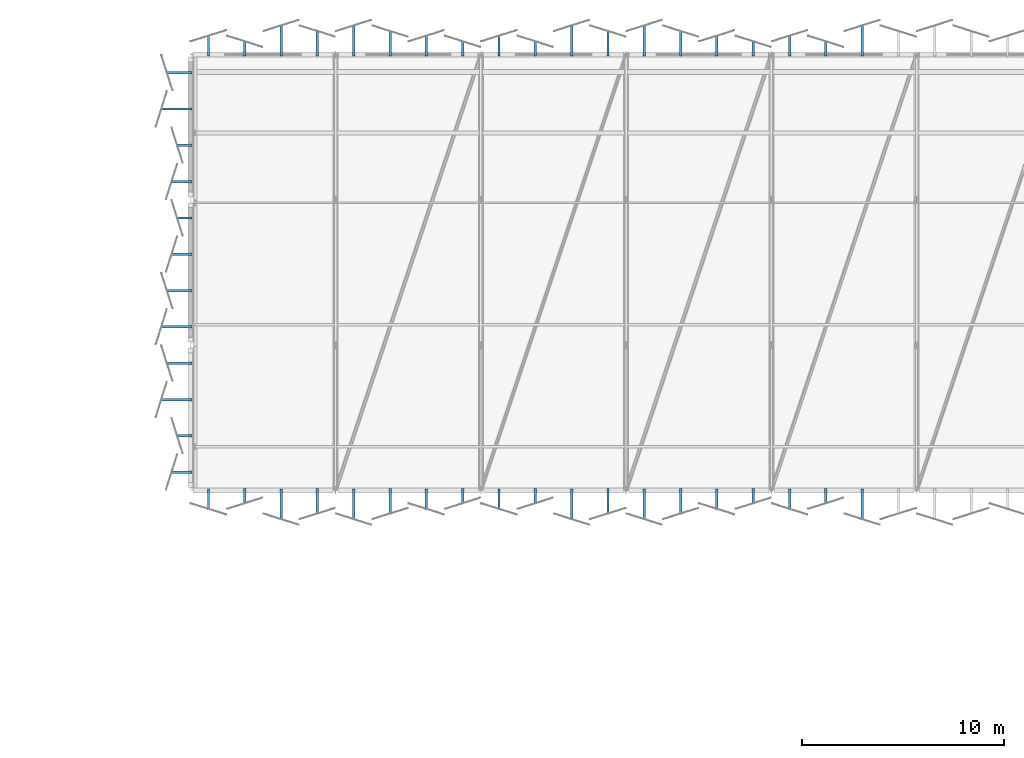
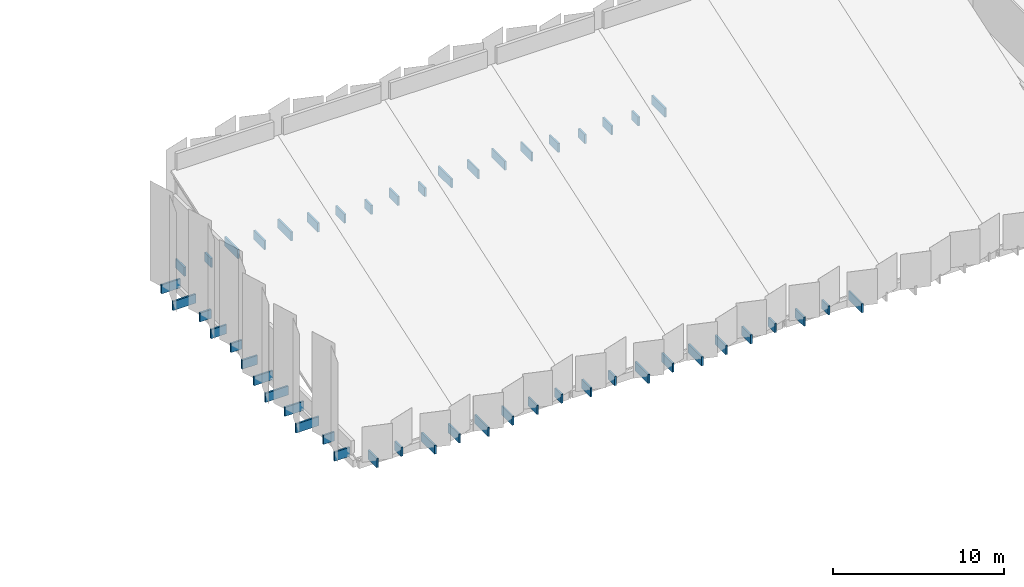
# One storey, part 50 of 59: 50 discrete accessories.
"""IFC4 building model written with IfcOpenShell, lengths in metres."""

import ifcopenshell
import ifcopenshell.guid

model = None  # the IFC model being written
_history = None  # IfcOwnerHistory: only IFC2X3 demands one
_inside = {}  # id of a spatial element -> (the spatial element, [elements in it])
_under = {}  # id of a project, library or spatial element -> (it, [spatial elements below it])
_declared = {}  # id of a project -> (the project, [libraries it declares])
_typed = {}  # id of a type object -> (the type object, [elements of that type])
_made_of = {}  # id of a material, layer set ... -> (it, [elements and type objects made of it])


def new_model(schema):
    """Start an empty IFC model of exactly this schema.

    Asked for "IFC4X3", IfcOpenShell would pick the latest addendum, in which some entities
    have other attributes; the version numbers below select the first issue.
    IFC2X3 requires an IfcOwnerHistory on every rooted entity: one is made here for all.
    """
    global model, _history
    if schema == "IFC4X3":
        model = ifcopenshell.file(schema_version=(4, 3, 0, 0))
    else:
        model = ifcopenshell.file(schema=schema)
    _inside.clear()
    _under.clear()
    _declared.clear()
    _typed.clear()
    _made_of.clear()
    _history = None
    if model.schema == "IFC2X3":
        org = make("IfcOrganization", Name="unknown")
        user = make(
            "IfcPersonAndOrganization",
            ThePerson=make("IfcPerson", FamilyName="unknown"),
            TheOrganization=org,
        )
        app = make(
            "IfcApplication",
            ApplicationDeveloper=org,
            Version="unknown",
            ApplicationFullName="unknown",
            ApplicationIdentifier="unknown",
        )
        _history = make(
            "IfcOwnerHistory",
            OwningUser=user,
            OwningApplication=app,
            ChangeAction="ADDED",
            CreationDate=0,
        )
    return model


def make(cls, **values):
    """One entity of the class cls with the attributes given. An attribute that is None is left unset."""
    return model.create_entity(
        cls, **{name: value for name, value in values.items() if value is not None}
    )


def rooted(cls, **values):
    """An entity with a GlobalId (a new one), such as an element, a storey or a relation."""
    return make(cls, GlobalId=ifcopenshell.guid.new(), OwnerHistory=_history, **values)


def si_unit(unit_type, name, prefix=None):
    """IfcSIUnit, for example si_unit("LENGTHUNIT", "METRE", prefix="MILLI")."""
    return make("IfcSIUnit", UnitType=unit_type, Prefix=prefix, Name=name)


def assignment(units):
    """IfcUnitAssignment: the units of a project."""
    return None if units is None else make("IfcUnitAssignment", Units=units)


def point(xyz):
    """IfcCartesianPoint."""
    return None if xyz is None else make("IfcCartesianPoint", Coordinates=xyz)


def direction(xyz):
    """IfcDirection."""
    return None if xyz is None else make("IfcDirection", DirectionRatios=xyz)


def frame(location, z_axis=None, x_axis=None):
    """IfcAxis2Placement3D, a coordinate frame: its origin and axes. An axis left out is left unset."""
    return make(
        "IfcAxis2Placement3D",
        Location=point(location),
        Axis=direction(z_axis),
        RefDirection=direction(x_axis),
    )


def frame_2d(location, x_axis=None):
    """IfcAxis2Placement2D, a coordinate frame in the plane: its origin and x axis."""
    return make(
        "IfcAxis2Placement2D", Location=point(location), RefDirection=direction(x_axis)
    )


def origin():
    """The frame at (0, 0, 0) with its axes left unset."""
    return frame((0.0, 0.0, 0.0))


def origin_2d():
    """The frame at (0, 0) in the plane with its x axis left unset."""
    return frame_2d((0.0, 0.0))


def place(relative_to, where):
    """IfcLocalPlacement: puts the frame where relative to a parent placement (None: the world)."""
    return make(
        "IfcLocalPlacement", PlacementRelTo=relative_to, RelativePlacement=where
    )


def context(
    kind, dimensions, precision=None, world=None, true_north=None, identifier=None
):
    """IfcGeometricRepresentationContext, for example the 3D "Model" context."""
    return make(
        "IfcGeometricRepresentationContext",
        ContextIdentifier=identifier,
        ContextType=kind,
        CoordinateSpaceDimension=dimensions,
        Precision=precision,
        WorldCoordinateSystem=world,
        TrueNorth=true_north,
    )


def subcontext(parent, identifier, kind, view, scale=None):
    """IfcGeometricRepresentationSubContext, for example "Body" below "Model"."""
    return make(
        "IfcGeometricRepresentationSubContext",
        ContextIdentifier=identifier,
        ContextType=kind,
        ParentContext=parent,
        TargetScale=scale,
        TargetView=view,
    )


def project(units=None, contexts=None):
    """IfcProject with its units and contexts."""
    return rooted(
        "IfcProject",
        Name="project",
        RepresentationContexts=contexts,
        UnitsInContext=assignment(units),
    )


def spatial(cls, under=None, at=None, **own):
    """A site, building, storey or space (cls), placed at a placement, below another one or the project."""
    s = rooted(cls, ObjectPlacement=at, **own)
    if under is not None:
        _under.setdefault(under.id(), (under, []))[1].append(s)
    return s


def profile(cls, at=None, kind="AREA", **sizes):
    """A parametric profile (cls). Its sizes go by their IFC names, for example OverallWidth=200.0."""
    return make(cls, ProfileType=kind, Position=at, **sizes)


def rectangle(**sizes):
    """IfcRectangleProfileDef."""
    return profile("IfcRectangleProfileDef", **sizes)


def extrude(swept, where, along, depth):
    """IfcExtrudedAreaSolid: the profile swept, set in the frame where, extruded along a direction by depth."""
    return make(
        "IfcExtrudedAreaSolid",
        SweptArea=swept,
        Position=where,
        ExtrudedDirection=direction(along),
        Depth=depth,
    )


def shape(context_of_items, identifier, shape_type, items):
    """IfcShapeRepresentation: the items that make up one representation, for example the "Body"."""
    return make(
        "IfcShapeRepresentation",
        ContextOfItems=context_of_items,
        RepresentationIdentifier=identifier,
        RepresentationType=shape_type,
        Items=items,
    )


def material(Name=None, Category=None):
    """IfcMaterial."""
    return make("IfcMaterial", Name=Name, Category=Category)


def made_of(thing, what):
    """Note that an element or type object is made of a material, layer set ...; save() writes the relation."""
    if what is not None:
        _made_of.setdefault(what.id(), (what, []))[1].append(thing)
    return thing


def type_object(cls, material=None, **own):
    """A type object (cls), such as IfcWallType, which elements share."""
    return made_of(rooted(cls, **own), material)


def element(
    cls,
    number,
    at=None,
    inside=None,
    cuts=None,
    type_object=None,
    material=None,
    context=None,
    identifier="Body",
    shape_type=None,
    held_by="IfcProductDefinitionShape",
    body=None,
    shapes=None,
    **own,
):
    """One element of the class cls, such as IfcWall. Its Tag is "e" and its number.

    at: its placement. inside: the storey or other place that contains it. cuts: it is an
    opening in that element (IfcRelVoidsElement). A single representation is given by context,
    identifier, shape_type and body (its items); several are given by shapes. held_by: the class
    of the entity that holds the representations. save() writes the other relations.
    """
    e = rooted(cls, Tag="e%d" % number, ObjectPlacement=at, **own)
    if body is not None:
        shapes = [shape(context, identifier, shape_type, body)]
    if shapes is not None:
        e.Representation = make(held_by, Representations=shapes)
    if inside is not None:
        _inside.setdefault(inside.id(), (inside, []))[1].append(e)
    if cuts is not None:
        rooted(
            "IfcRelVoidsElement", RelatingBuildingElement=cuts, RelatedOpeningElement=e
        )
    if type_object is not None:
        _typed.setdefault(type_object.id(), (type_object, []))[1].append(e)
    return made_of(e, material)


def aggregate(whole, parts):
    """IfcRelAggregates: a whole, such as a stair, and the parts it consists of."""
    return rooted("IfcRelAggregates", RelatingObject=whole, RelatedObjects=parts)


def save(model, path):
    """Write the relations noted so far, then the file.

    IfcRelAggregates (storeys below a building ...), IfcRelContainedInSpatialStructure (elements
    in a storey), IfcRelDefinesByType, IfcRelAssociatesMaterial and IfcRelDeclares: one each for
    every whole, place, type object, material and project.
    """
    for whole, parts in _under.values():
        aggregate(whole, parts)
    for where, things in _inside.values():
        rooted(
            "IfcRelContainedInSpatialStructure",
            RelatedElements=things,
            RelatingStructure=where,
        )
    for kind, things in _typed.values():
        rooted("IfcRelDefinesByType", RelatedObjects=things, RelatingType=kind)
    for what, things in _made_of.values():
        rooted("IfcRelAssociatesMaterial", RelatedObjects=things, RelatingMaterial=what)
    for by, libraries in _declared.values():
        rooted("IfcRelDeclares", RelatingContext=by, RelatedDefinitions=libraries)
    model.write(path)


model = new_model("IFC4")

# Units and contexts
model_context = context("Model", 3, precision=1e-05, world=origin(), true_north=direction((0.0, 1.0)))
body_context = subcontext(model_context, "Body", "Model", "MODEL_VIEW")
ifc_project = project(units=[si_unit("LENGTHUNIT", "METRE"), si_unit("AREAUNIT", "SQUARE_METRE"), si_unit("VOLUMEUNIT", "CUBIC_METRE"), si_unit("PLANEANGLEUNIT", "RADIAN"), si_unit("MASSUNIT", "GRAM", prefix="KILO")], contexts=[model_context])

# Site, building, storey
site_placement = place(None, origin())
site = spatial("IfcSite", under=ifc_project, at=site_placement, CompositionType="ELEMENT")
building_placement = place(site_placement, origin())
building = spatial("IfcBuilding", under=site, at=building_placement, Name="Kangsadwip Square Police Headquarters", CompositionType="ELEMENT")
storey_placement = place(building_placement, frame((0.0, 0.0, 21.60009765625)))
storey = spatial("IfcBuildingStorey", under=building, at=storey_placement, Name="L05", CompositionType="ELEMENT", Elevation=21.60009765625)

# Discrete accessories
ifc_material = material(Name="Structural steel IS 2062 E350 (Grade 350, 350 MPa)", Category="steel")
discrete_accessory_type = type_object("IfcDiscreteAccessoryType", Name="VeilOutriggerBracket", PredefinedType="BRACKET", material=ifc_material)
discrete_accessory_1_placement = place(storey_placement, frame((94.5, 115.642578125, -0.39990234375), z_axis=(0.0, 0.0, 1.0), x_axis=(1.0, 0.0, 0.0)))
element("IfcDiscreteAccessory", 1, at=discrete_accessory_1_placement, inside=storey, type_object=discrete_accessory_type, Name="Veil Outrigger Bracket VBK-L05-0169", PredefinedType="BRACKET", context=body_context, shape_type="SweptSolid", body=[
    extrude(rectangle(XDim=0.1201171875, YDim=1.04541015625, at=origin_2d()), origin(), (0.0, 0.0, 1.0), 0.639892578125),
])
discrete_accessory_2_placement = place(storey_placement, frame((96.300048828125, 115.502685546875, -0.39990234375), z_axis=(0.0, 0.0, 1.0), x_axis=(1.0, 0.0, 0.0)))
element("IfcDiscreteAccessory", 2, at=discrete_accessory_2_placement, inside=storey, type_object=discrete_accessory_type, Name="Veil Outrigger Bracket VBK-L05-0170", PredefinedType="BRACKET", context=body_context, shape_type="SweptSolid", body=[
    extrude(rectangle(XDim=0.1201171875, YDim=0.765380859375, at=origin_2d()), origin(), (0.0, 0.0, 1.0), 0.639892578125),
])
discrete_accessory_3_placement = place(storey_placement, frame((98.10009765625, 115.897216796875, -0.39990234375), z_axis=(0.0, 0.0, 1.0), x_axis=(1.0, 0.0, 0.0)))
element("IfcDiscreteAccessory", 3, at=discrete_accessory_3_placement, inside=storey, type_object=discrete_accessory_type, Name="Veil Outrigger Bracket VBK-L05-0171", PredefinedType="BRACKET", context=body_context, shape_type="SweptSolid", body=[
    extrude(rectangle(XDim=0.1201171875, YDim=1.5546875, at=origin_2d()), origin(), (0.0, 0.0, 1.0), 0.639892578125),
])
discrete_accessory_4_placement = place(storey_placement, frame((99.89990234375, 115.75732421875, -0.39990234375), z_axis=(0.0, 0.0, 1.0), x_axis=(1.0, 0.0, 0.0)))
element("IfcDiscreteAccessory", 4, at=discrete_accessory_4_placement, inside=storey, type_object=discrete_accessory_type, Name="Veil Outrigger Bracket VBK-L05-0172", PredefinedType="BRACKET", context=body_context, shape_type="SweptSolid", body=[
    extrude(rectangle(XDim=0.1201171875, YDim=1.274658203125, at=origin_2d()), origin(), (0.0, 0.0, 1.0), 0.639892578125),
])
discrete_accessory_5_placement = place(storey_placement, frame((101.699951171875, 115.897216796875, -0.39990234375), z_axis=(0.0, 0.0, 1.0), x_axis=(1.0, 0.0, 0.0)))
element("IfcDiscreteAccessory", 5, at=discrete_accessory_5_placement, inside=storey, type_object=discrete_accessory_type, Name="Veil Outrigger Bracket VBK-L05-0173", PredefinedType="BRACKET", context=body_context, shape_type="SweptSolid", body=[
    extrude(rectangle(XDim=0.1201171875, YDim=1.5546875, at=origin_2d()), origin(), (0.0, 0.0, 1.0), 0.639892578125),
])
discrete_accessory_6_placement = place(storey_placement, frame((103.5, 115.75732421875, -0.39990234375), z_axis=(0.0, 0.0, 1.0), x_axis=(1.0, 0.0, 0.0)))
element("IfcDiscreteAccessory", 6, at=discrete_accessory_6_placement, inside=storey, type_object=discrete_accessory_type, Name="Veil Outrigger Bracket VBK-L05-0174", PredefinedType="BRACKET", context=body_context, shape_type="SweptSolid", body=[
    extrude(rectangle(XDim=0.1201171875, YDim=1.274658203125, at=origin_2d()), origin(), (0.0, 0.0, 1.0), 0.639892578125),
])
discrete_accessory_7_placement = place(storey_placement, frame((105.300048828125, 115.642578125, -0.39990234375), z_axis=(0.0, 0.0, 1.0), x_axis=(1.0, 0.0, 0.0)))
element("IfcDiscreteAccessory", 7, at=discrete_accessory_7_placement, inside=storey, type_object=discrete_accessory_type, Name="Veil Outrigger Bracket VBK-L05-0175", PredefinedType="BRACKET", context=body_context, shape_type="SweptSolid", body=[
    extrude(rectangle(XDim=0.1201171875, YDim=1.04541015625, at=origin_2d()), origin(), (0.0, 0.0, 1.0), 0.639892578125),
])
discrete_accessory_8_placement = place(storey_placement, frame((107.10009765625, 115.502685546875, -0.39990234375), z_axis=(0.0, 0.0, 1.0), x_axis=(1.0, 0.0, 0.0)))
element("IfcDiscreteAccessory", 8, at=discrete_accessory_8_placement, inside=storey, type_object=discrete_accessory_type, Name="Veil Outrigger Bracket VBK-L05-0176", PredefinedType="BRACKET", context=body_context, shape_type="SweptSolid", body=[
    extrude(rectangle(XDim=0.1201171875, YDim=0.765380859375, at=origin_2d()), origin(), (0.0, 0.0, 1.0), 0.639892578125),
])
discrete_accessory_9_placement = place(storey_placement, frame((108.89990234375, 115.642578125, -0.39990234375), z_axis=(0.0, 0.0, 1.0), x_axis=(1.0, 0.0, 0.0)))
element("IfcDiscreteAccessory", 9, at=discrete_accessory_9_placement, inside=storey, type_object=discrete_accessory_type, Name="Veil Outrigger Bracket VBK-L05-0177", PredefinedType="BRACKET", context=body_context, shape_type="SweptSolid", body=[
    extrude(rectangle(XDim=0.1201171875, YDim=1.04541015625, at=origin_2d()), origin(), (0.0, 0.0, 1.0), 0.639892578125),
])
discrete_accessory_10_placement = place(storey_placement, frame((110.699951171875, 115.502685546875, -0.39990234375), z_axis=(0.0, 0.0, 1.0), x_axis=(1.0, 0.0, 0.0)))
element("IfcDiscreteAccessory", 10, at=discrete_accessory_10_placement, inside=storey, type_object=discrete_accessory_type, Name="Veil Outrigger Bracket VBK-L05-0178", PredefinedType="BRACKET", context=body_context, shape_type="SweptSolid", body=[
    extrude(rectangle(XDim=0.1201171875, YDim=0.765380859375, at=origin_2d()), origin(), (0.0, 0.0, 1.0), 0.639892578125),
])
discrete_accessory_11_placement = place(storey_placement, frame((112.5, 115.897216796875, -0.39990234375), z_axis=(0.0, 0.0, 1.0), x_axis=(1.0, 0.0, 0.0)))
element("IfcDiscreteAccessory", 11, at=discrete_accessory_11_placement, inside=storey, type_object=discrete_accessory_type, Name="Veil Outrigger Bracket VBK-L05-0179", PredefinedType="BRACKET", context=body_context, shape_type="SweptSolid", body=[
    extrude(rectangle(XDim=0.1201171875, YDim=1.5546875, at=origin_2d()), origin(), (0.0, 0.0, 1.0), 0.639892578125),
])
discrete_accessory_12_placement = place(storey_placement, frame((114.300048828125, 115.75732421875, -0.39990234375), z_axis=(0.0, 0.0, 1.0), x_axis=(1.0, 0.0, 0.0)))
element("IfcDiscreteAccessory", 12, at=discrete_accessory_12_placement, inside=storey, type_object=discrete_accessory_type, Name="Veil Outrigger Bracket VBK-L05-0180", PredefinedType="BRACKET", context=body_context, shape_type="SweptSolid", body=[
    extrude(rectangle(XDim=0.1201171875, YDim=1.274658203125, at=origin_2d()), origin(), (0.0, 0.0, 1.0), 0.639892578125),
])
discrete_accessory_13_placement = place(storey_placement, frame((116.10009765625, 115.897216796875, -0.39990234375), z_axis=(0.0, 0.0, 1.0), x_axis=(1.0, 0.0, 0.0)))
element("IfcDiscreteAccessory", 13, at=discrete_accessory_13_placement, inside=storey, type_object=discrete_accessory_type, Name="Veil Outrigger Bracket VBK-L05-0181", PredefinedType="BRACKET", context=body_context, shape_type="SweptSolid", body=[
    extrude(rectangle(XDim=0.1201171875, YDim=1.5546875, at=origin_2d()), origin(), (0.0, 0.0, 1.0), 0.639892578125),
])
discrete_accessory_14_placement = place(storey_placement, frame((117.89990234375, 115.75732421875, -0.39990234375), z_axis=(0.0, 0.0, 1.0), x_axis=(1.0, 0.0, 0.0)))
element("IfcDiscreteAccessory", 14, at=discrete_accessory_14_placement, inside=storey, type_object=discrete_accessory_type, Name="Veil Outrigger Bracket VBK-L05-0182", PredefinedType="BRACKET", context=body_context, shape_type="SweptSolid", body=[
    extrude(rectangle(XDim=0.1201171875, YDim=1.274658203125, at=origin_2d()), origin(), (0.0, 0.0, 1.0), 0.639892578125),
])
discrete_accessory_15_placement = place(storey_placement, frame((119.699951171875, 115.642578125, -0.39990234375), z_axis=(0.0, 0.0, 1.0), x_axis=(1.0, 0.0, 0.0)))
element("IfcDiscreteAccessory", 15, at=discrete_accessory_15_placement, inside=storey, type_object=discrete_accessory_type, Name="Veil Outrigger Bracket VBK-L05-0183", PredefinedType="BRACKET", context=body_context, shape_type="SweptSolid", body=[
    extrude(rectangle(XDim=0.1201171875, YDim=1.04541015625, at=origin_2d()), origin(), (0.0, 0.0, 1.0), 0.639892578125),
])
discrete_accessory_16_placement = place(storey_placement, frame((121.5, 115.502685546875, -0.39990234375), z_axis=(0.0, 0.0, 1.0), x_axis=(1.0, 0.0, 0.0)))
element("IfcDiscreteAccessory", 16, at=discrete_accessory_16_placement, inside=storey, type_object=discrete_accessory_type, Name="Veil Outrigger Bracket VBK-L05-0184", PredefinedType="BRACKET", context=body_context, shape_type="SweptSolid", body=[
    extrude(rectangle(XDim=0.1201171875, YDim=0.765380859375, at=origin_2d()), origin(), (0.0, 0.0, 1.0), 0.639892578125),
])
discrete_accessory_17_placement = place(storey_placement, frame((123.300048828125, 115.642578125, -0.39990234375), z_axis=(0.0, 0.0, 1.0), x_axis=(1.0, 0.0, 0.0)))
element("IfcDiscreteAccessory", 17, at=discrete_accessory_17_placement, inside=storey, type_object=discrete_accessory_type, Name="Veil Outrigger Bracket VBK-L05-0185", PredefinedType="BRACKET", context=body_context, shape_type="SweptSolid", body=[
    extrude(rectangle(XDim=0.1201171875, YDim=1.04541015625, at=origin_2d()), origin(), (0.0, 0.0, 1.0), 0.639892578125),
])
discrete_accessory_18_placement = place(storey_placement, frame((125.10009765625, 115.502685546875, -0.39990234375), z_axis=(0.0, 0.0, 1.0), x_axis=(1.0, 0.0, 0.0)))
element("IfcDiscreteAccessory", 18, at=discrete_accessory_18_placement, inside=storey, type_object=discrete_accessory_type, Name="Veil Outrigger Bracket VBK-L05-0186", PredefinedType="BRACKET", context=body_context, shape_type="SweptSolid", body=[
    extrude(rectangle(XDim=0.1201171875, YDim=0.765380859375, at=origin_2d()), origin(), (0.0, 0.0, 1.0), 0.639892578125),
])
discrete_accessory_19_placement = place(storey_placement, frame((126.89990234375, 115.897216796875, -0.39990234375), z_axis=(0.0, 0.0, 1.0), x_axis=(1.0, 0.0, 0.0)))
element("IfcDiscreteAccessory", 19, at=discrete_accessory_19_placement, inside=storey, type_object=discrete_accessory_type, Name="Veil Outrigger Bracket VBK-L05-0187", PredefinedType="BRACKET", context=body_context, shape_type="SweptSolid", body=[
    extrude(rectangle(XDim=0.1201171875, YDim=1.5546875, at=origin_2d()), origin(), (0.0, 0.0, 1.0), 0.639892578125),
])
discrete_accessory_20_placement = place(storey_placement, frame((94.5, 93.1572265625, -0.39990234375), z_axis=(0.0, 0.0, 1.0), x_axis=(1.0, 0.0, 0.0)))
element("IfcDiscreteAccessory", 20, at=discrete_accessory_20_placement, inside=storey, type_object=discrete_accessory_type, Name="Veil Outrigger Bracket VBK-L05-0365", PredefinedType="BRACKET", context=body_context, shape_type="SweptSolid", body=[
    extrude(rectangle(XDim=0.1201171875, YDim=1.04541015625, at=origin_2d()), origin(), (0.0, 0.0, 1.0), 0.639892578125),
])
discrete_accessory_21_placement = place(storey_placement, frame((96.300048828125, 93.29736328125, -0.39990234375), z_axis=(0.0, 0.0, 1.0), x_axis=(1.0, 0.0, 0.0)))
element("IfcDiscreteAccessory", 21, at=discrete_accessory_21_placement, inside=storey, type_object=discrete_accessory_type, Name="Veil Outrigger Bracket VBK-L05-0366", PredefinedType="BRACKET", context=body_context, shape_type="SweptSolid", body=[
    extrude(rectangle(XDim=0.1201171875, YDim=0.765380859375, at=origin_2d()), origin(), (0.0, 0.0, 1.0), 0.639892578125),
])
discrete_accessory_22_placement = place(storey_placement, frame((98.10009765625, 92.902587890625, -0.39990234375), z_axis=(0.0, 0.0, 1.0), x_axis=(1.0, 0.0, 0.0)))
element("IfcDiscreteAccessory", 22, at=discrete_accessory_22_placement, inside=storey, type_object=discrete_accessory_type, Name="Veil Outrigger Bracket VBK-L05-0367", PredefinedType="BRACKET", context=body_context, shape_type="SweptSolid", body=[
    extrude(rectangle(XDim=0.1201171875, YDim=1.5546875, at=origin_2d()), origin(), (0.0, 0.0, 1.0), 0.639892578125),
])
discrete_accessory_23_placement = place(storey_placement, frame((99.89990234375, 93.042724609375, -0.39990234375), z_axis=(0.0, 0.0, 1.0), x_axis=(1.0, 0.0, 0.0)))
element("IfcDiscreteAccessory", 23, at=discrete_accessory_23_placement, inside=storey, type_object=discrete_accessory_type, Name="Veil Outrigger Bracket VBK-L05-0368", PredefinedType="BRACKET", context=body_context, shape_type="SweptSolid", body=[
    extrude(rectangle(XDim=0.1201171875, YDim=1.274658203125, at=origin_2d()), origin(), (0.0, 0.0, 1.0), 0.639892578125),
])
discrete_accessory_24_placement = place(storey_placement, frame((101.699951171875, 92.902587890625, -0.39990234375), z_axis=(0.0, 0.0, 1.0), x_axis=(1.0, 0.0, 0.0)))
element("IfcDiscreteAccessory", 24, at=discrete_accessory_24_placement, inside=storey, type_object=discrete_accessory_type, Name="Veil Outrigger Bracket VBK-L05-0369", PredefinedType="BRACKET", context=body_context, shape_type="SweptSolid", body=[
    extrude(rectangle(XDim=0.1201171875, YDim=1.5546875, at=origin_2d()), origin(), (0.0, 0.0, 1.0), 0.639892578125),
])
discrete_accessory_25_placement = place(storey_placement, frame((103.5, 93.042724609375, -0.39990234375), z_axis=(0.0, 0.0, 1.0), x_axis=(1.0, 0.0, 0.0)))
element("IfcDiscreteAccessory", 25, at=discrete_accessory_25_placement, inside=storey, type_object=discrete_accessory_type, Name="Veil Outrigger Bracket VBK-L05-0370", PredefinedType="BRACKET", context=body_context, shape_type="SweptSolid", body=[
    extrude(rectangle(XDim=0.1201171875, YDim=1.274658203125, at=origin_2d()), origin(), (0.0, 0.0, 1.0), 0.639892578125),
])
discrete_accessory_26_placement = place(storey_placement, frame((105.300048828125, 93.1572265625, -0.39990234375), z_axis=(0.0, 0.0, 1.0), x_axis=(1.0, 0.0, 0.0)))
element("IfcDiscreteAccessory", 26, at=discrete_accessory_26_placement, inside=storey, type_object=discrete_accessory_type, Name="Veil Outrigger Bracket VBK-L05-0371", PredefinedType="BRACKET", context=body_context, shape_type="SweptSolid", body=[
    extrude(rectangle(XDim=0.1201171875, YDim=1.04541015625, at=origin_2d()), origin(), (0.0, 0.0, 1.0), 0.639892578125),
])
discrete_accessory_27_placement = place(storey_placement, frame((107.10009765625, 93.29736328125, -0.39990234375), z_axis=(0.0, 0.0, 1.0), x_axis=(1.0, 0.0, 0.0)))
element("IfcDiscreteAccessory", 27, at=discrete_accessory_27_placement, inside=storey, type_object=discrete_accessory_type, Name="Veil Outrigger Bracket VBK-L05-0372", PredefinedType="BRACKET", context=body_context, shape_type="SweptSolid", body=[
    extrude(rectangle(XDim=0.1201171875, YDim=0.765380859375, at=origin_2d()), origin(), (0.0, 0.0, 1.0), 0.639892578125),
])
discrete_accessory_28_placement = place(storey_placement, frame((108.89990234375, 93.1572265625, -0.39990234375), z_axis=(0.0, 0.0, 1.0), x_axis=(1.0, 0.0, 0.0)))
element("IfcDiscreteAccessory", 28, at=discrete_accessory_28_placement, inside=storey, type_object=discrete_accessory_type, Name="Veil Outrigger Bracket VBK-L05-0373", PredefinedType="BRACKET", context=body_context, shape_type="SweptSolid", body=[
    extrude(rectangle(XDim=0.1201171875, YDim=1.04541015625, at=origin_2d()), origin(), (0.0, 0.0, 1.0), 0.639892578125),
])
discrete_accessory_29_placement = place(storey_placement, frame((110.699951171875, 93.29736328125, -0.39990234375), z_axis=(0.0, 0.0, 1.0), x_axis=(1.0, 0.0, 0.0)))
element("IfcDiscreteAccessory", 29, at=discrete_accessory_29_placement, inside=storey, type_object=discrete_accessory_type, Name="Veil Outrigger Bracket VBK-L05-0374", PredefinedType="BRACKET", context=body_context, shape_type="SweptSolid", body=[
    extrude(rectangle(XDim=0.1201171875, YDim=0.765380859375, at=origin_2d()), origin(), (0.0, 0.0, 1.0), 0.639892578125),
])
discrete_accessory_30_placement = place(storey_placement, frame((112.5, 92.902587890625, -0.39990234375), z_axis=(0.0, 0.0, 1.0), x_axis=(1.0, 0.0, 0.0)))
element("IfcDiscreteAccessory", 30, at=discrete_accessory_30_placement, inside=storey, type_object=discrete_accessory_type, Name="Veil Outrigger Bracket VBK-L05-0375", PredefinedType="BRACKET", context=body_context, shape_type="SweptSolid", body=[
    extrude(rectangle(XDim=0.1201171875, YDim=1.5546875, at=origin_2d()), origin(), (0.0, 0.0, 1.0), 0.639892578125),
])
discrete_accessory_31_placement = place(storey_placement, frame((114.300048828125, 93.042724609375, -0.39990234375), z_axis=(0.0, 0.0, 1.0), x_axis=(1.0, 0.0, 0.0)))
element("IfcDiscreteAccessory", 31, at=discrete_accessory_31_placement, inside=storey, type_object=discrete_accessory_type, Name="Veil Outrigger Bracket VBK-L05-0376", PredefinedType="BRACKET", context=body_context, shape_type="SweptSolid", body=[
    extrude(rectangle(XDim=0.1201171875, YDim=1.274658203125, at=origin_2d()), origin(), (0.0, 0.0, 1.0), 0.639892578125),
])
discrete_accessory_32_placement = place(storey_placement, frame((116.10009765625, 92.902587890625, -0.39990234375), z_axis=(0.0, 0.0, 1.0), x_axis=(1.0, 0.0, 0.0)))
element("IfcDiscreteAccessory", 32, at=discrete_accessory_32_placement, inside=storey, type_object=discrete_accessory_type, Name="Veil Outrigger Bracket VBK-L05-0377", PredefinedType="BRACKET", context=body_context, shape_type="SweptSolid", body=[
    extrude(rectangle(XDim=0.1201171875, YDim=1.5546875, at=origin_2d()), origin(), (0.0, 0.0, 1.0), 0.639892578125),
])
discrete_accessory_33_placement = place(storey_placement, frame((117.89990234375, 93.042724609375, -0.39990234375), z_axis=(0.0, 0.0, 1.0), x_axis=(1.0, 0.0, 0.0)))
element("IfcDiscreteAccessory", 33, at=discrete_accessory_33_placement, inside=storey, type_object=discrete_accessory_type, Name="Veil Outrigger Bracket VBK-L05-0378", PredefinedType="BRACKET", context=body_context, shape_type="SweptSolid", body=[
    extrude(rectangle(XDim=0.1201171875, YDim=1.274658203125, at=origin_2d()), origin(), (0.0, 0.0, 1.0), 0.639892578125),
])
discrete_accessory_34_placement = place(storey_placement, frame((119.699951171875, 93.1572265625, -0.39990234375), z_axis=(0.0, 0.0, 1.0), x_axis=(1.0, 0.0, 0.0)))
element("IfcDiscreteAccessory", 34, at=discrete_accessory_34_placement, inside=storey, type_object=discrete_accessory_type, Name="Veil Outrigger Bracket VBK-L05-0379", PredefinedType="BRACKET", context=body_context, shape_type="SweptSolid", body=[
    extrude(rectangle(XDim=0.1201171875, YDim=1.04541015625, at=origin_2d()), origin(), (0.0, 0.0, 1.0), 0.639892578125),
])
discrete_accessory_35_placement = place(storey_placement, frame((121.5, 93.29736328125, -0.39990234375), z_axis=(0.0, 0.0, 1.0), x_axis=(1.0, 0.0, 0.0)))
element("IfcDiscreteAccessory", 35, at=discrete_accessory_35_placement, inside=storey, type_object=discrete_accessory_type, Name="Veil Outrigger Bracket VBK-L05-0380", PredefinedType="BRACKET", context=body_context, shape_type="SweptSolid", body=[
    extrude(rectangle(XDim=0.1201171875, YDim=0.765380859375, at=origin_2d()), origin(), (0.0, 0.0, 1.0), 0.639892578125),
])
discrete_accessory_36_placement = place(storey_placement, frame((123.300048828125, 93.1572265625, -0.39990234375), z_axis=(0.0, 0.0, 1.0), x_axis=(1.0, 0.0, 0.0)))
element("IfcDiscreteAccessory", 36, at=discrete_accessory_36_placement, inside=storey, type_object=discrete_accessory_type, Name="Veil Outrigger Bracket VBK-L05-0381", PredefinedType="BRACKET", context=body_context, shape_type="SweptSolid", body=[
    extrude(rectangle(XDim=0.1201171875, YDim=1.04541015625, at=origin_2d()), origin(), (0.0, 0.0, 1.0), 0.639892578125),
])
discrete_accessory_37_placement = place(storey_placement, frame((125.10009765625, 93.29736328125, -0.39990234375), z_axis=(0.0, 0.0, 1.0), x_axis=(1.0, 0.0, 0.0)))
element("IfcDiscreteAccessory", 37, at=discrete_accessory_37_placement, inside=storey, type_object=discrete_accessory_type, Name="Veil Outrigger Bracket VBK-L05-0382", PredefinedType="BRACKET", context=body_context, shape_type="SweptSolid", body=[
    extrude(rectangle(XDim=0.1201171875, YDim=0.765380859375, at=origin_2d()), origin(), (0.0, 0.0, 1.0), 0.639892578125),
])
discrete_accessory_38_placement = place(storey_placement, frame((126.89990234375, 92.902587890625, -0.39990234375), z_axis=(0.0, 0.0, 1.0), x_axis=(1.0, 0.0, 0.0)))
element("IfcDiscreteAccessory", 38, at=discrete_accessory_38_placement, inside=storey, type_object=discrete_accessory_type, Name="Veil Outrigger Bracket VBK-L05-0383", PredefinedType="BRACKET", context=body_context, shape_type="SweptSolid", body=[
    extrude(rectangle(XDim=0.1201171875, YDim=1.5546875, at=origin_2d()), origin(), (0.0, 0.0, 1.0), 0.639892578125),
])
discrete_accessory_39_placement = place(storey_placement, frame((93.1572265625, 94.5, -0.39990234375), z_axis=(0.0, 0.0, 1.0), x_axis=(1.0, 0.0, 0.0)))
element("IfcDiscreteAccessory", 39, at=discrete_accessory_39_placement, inside=storey, type_object=discrete_accessory_type, Name="Veil Outrigger Bracket VBK-L05-0405", PredefinedType="BRACKET", context=body_context, shape_type="SweptSolid", body=[
    extrude(rectangle(XDim=1.04541015625, YDim=0.1201171875, at=origin_2d()), origin(), (0.0, 0.0, 1.0), 0.639892578125),
])
discrete_accessory_40_placement = place(storey_placement, frame((93.29736328125, 96.300048828125, -0.39990234375), z_axis=(0.0, 0.0, 1.0), x_axis=(1.0, 0.0, 0.0)))
element("IfcDiscreteAccessory", 40, at=discrete_accessory_40_placement, inside=storey, type_object=discrete_accessory_type, Name="Veil Outrigger Bracket VBK-L05-0406", PredefinedType="BRACKET", context=body_context, shape_type="SweptSolid", body=[
    extrude(rectangle(XDim=0.765380859375, YDim=0.1201171875, at=origin_2d()), origin(), (0.0, 0.0, 1.0), 0.639892578125),
])
discrete_accessory_41_placement = place(storey_placement, frame((92.902587890625, 98.10009765625, -0.39990234375), z_axis=(0.0, 0.0, 1.0), x_axis=(1.0, 0.0, 0.0)))
element("IfcDiscreteAccessory", 41, at=discrete_accessory_41_placement, inside=storey, type_object=discrete_accessory_type, Name="Veil Outrigger Bracket VBK-L05-0407", PredefinedType="BRACKET", context=body_context, shape_type="SweptSolid", body=[
    extrude(rectangle(XDim=1.5546875, YDim=0.1201171875, at=origin_2d()), origin(), (0.0, 0.0, 1.0), 0.639892578125),
])
discrete_accessory_42_placement = place(storey_placement, frame((93.042724609375, 99.89990234375, -0.39990234375), z_axis=(0.0, 0.0, 1.0), x_axis=(1.0, 0.0, 0.0)))
element("IfcDiscreteAccessory", 42, at=discrete_accessory_42_placement, inside=storey, type_object=discrete_accessory_type, Name="Veil Outrigger Bracket VBK-L05-0408", PredefinedType="BRACKET", context=body_context, shape_type="SweptSolid", body=[
    extrude(rectangle(XDim=1.274658203125, YDim=0.1201171875, at=origin_2d()), origin(), (0.0, 0.0, 1.0), 0.639892578125),
])
discrete_accessory_43_placement = place(storey_placement, frame((92.902587890625, 101.699951171875, -0.39990234375), z_axis=(0.0, 0.0, 1.0), x_axis=(1.0, 0.0, 0.0)))
element("IfcDiscreteAccessory", 43, at=discrete_accessory_43_placement, inside=storey, type_object=discrete_accessory_type, Name="Veil Outrigger Bracket VBK-L05-0409", PredefinedType="BRACKET", context=body_context, shape_type="SweptSolid", body=[
    extrude(rectangle(XDim=1.5546875, YDim=0.1201171875, at=origin_2d()), origin(), (0.0, 0.0, 1.0), 0.639892578125),
])
discrete_accessory_44_placement = place(storey_placement, frame((93.042724609375, 103.5, -0.39990234375), z_axis=(0.0, 0.0, 1.0), x_axis=(1.0, 0.0, 0.0)))
element("IfcDiscreteAccessory", 44, at=discrete_accessory_44_placement, inside=storey, type_object=discrete_accessory_type, Name="Veil Outrigger Bracket VBK-L05-0410", PredefinedType="BRACKET", context=body_context, shape_type="SweptSolid", body=[
    extrude(rectangle(XDim=1.274658203125, YDim=0.1201171875, at=origin_2d()), origin(), (0.0, 0.0, 1.0), 0.639892578125),
])
discrete_accessory_45_placement = place(storey_placement, frame((93.1572265625, 105.300048828125, -0.39990234375), z_axis=(0.0, 0.0, 1.0), x_axis=(1.0, 0.0, 0.0)))
element("IfcDiscreteAccessory", 45, at=discrete_accessory_45_placement, inside=storey, type_object=discrete_accessory_type, Name="Veil Outrigger Bracket VBK-L05-0411", PredefinedType="BRACKET", context=body_context, shape_type="SweptSolid", body=[
    extrude(rectangle(XDim=1.04541015625, YDim=0.1201171875, at=origin_2d()), origin(), (0.0, 0.0, 1.0), 0.639892578125),
])
discrete_accessory_46_placement = place(storey_placement, frame((93.29736328125, 107.10009765625, -0.39990234375), z_axis=(0.0, 0.0, 1.0), x_axis=(1.0, 0.0, 0.0)))
element("IfcDiscreteAccessory", 46, at=discrete_accessory_46_placement, inside=storey, type_object=discrete_accessory_type, Name="Veil Outrigger Bracket VBK-L05-0412", PredefinedType="BRACKET", context=body_context, shape_type="SweptSolid", body=[
    extrude(rectangle(XDim=0.765380859375, YDim=0.1201171875, at=origin_2d()), origin(), (0.0, 0.0, 1.0), 0.639892578125),
])
discrete_accessory_47_placement = place(storey_placement, frame((93.1572265625, 108.89990234375, -0.39990234375), z_axis=(0.0, 0.0, 1.0), x_axis=(1.0, 0.0, 0.0)))
element("IfcDiscreteAccessory", 47, at=discrete_accessory_47_placement, inside=storey, type_object=discrete_accessory_type, Name="Veil Outrigger Bracket VBK-L05-0413", PredefinedType="BRACKET", context=body_context, shape_type="SweptSolid", body=[
    extrude(rectangle(XDim=1.04541015625, YDim=0.1201171875, at=origin_2d()), origin(), (0.0, 0.0, 1.0), 0.639892578125),
])
discrete_accessory_48_placement = place(storey_placement, frame((93.29736328125, 110.699951171875, -0.39990234375), z_axis=(0.0, 0.0, 1.0), x_axis=(1.0, 0.0, 0.0)))
element("IfcDiscreteAccessory", 48, at=discrete_accessory_48_placement, inside=storey, type_object=discrete_accessory_type, Name="Veil Outrigger Bracket VBK-L05-0414", PredefinedType="BRACKET", context=body_context, shape_type="SweptSolid", body=[
    extrude(rectangle(XDim=0.765380859375, YDim=0.1201171875, at=origin_2d()), origin(), (0.0, 0.0, 1.0), 0.639892578125),
])
discrete_accessory_49_placement = place(storey_placement, frame((92.902587890625, 112.5, -0.39990234375), z_axis=(0.0, 0.0, 1.0), x_axis=(1.0, 0.0, 0.0)))
element("IfcDiscreteAccessory", 49, at=discrete_accessory_49_placement, inside=storey, type_object=discrete_accessory_type, Name="Veil Outrigger Bracket VBK-L05-0415", PredefinedType="BRACKET", context=body_context, shape_type="SweptSolid", body=[
    extrude(rectangle(XDim=1.5546875, YDim=0.1201171875, at=origin_2d()), origin(), (0.0, 0.0, 1.0), 0.639892578125),
])
discrete_accessory_50_placement = place(storey_placement, frame((93.042724609375, 114.300048828125, -0.39990234375), z_axis=(0.0, 0.0, 1.0), x_axis=(1.0, 0.0, 0.0)))
element("IfcDiscreteAccessory", 50, at=discrete_accessory_50_placement, inside=storey, type_object=discrete_accessory_type, Name="Veil Outrigger Bracket VBK-L05-0416", PredefinedType="BRACKET", context=body_context, shape_type="SweptSolid", body=[
    extrude(rectangle(XDim=1.274658203125, YDim=0.1201171875, at=origin_2d()), origin(), (0.0, 0.0, 1.0), 0.639892578125),
])

save(model, "model.ifc")
